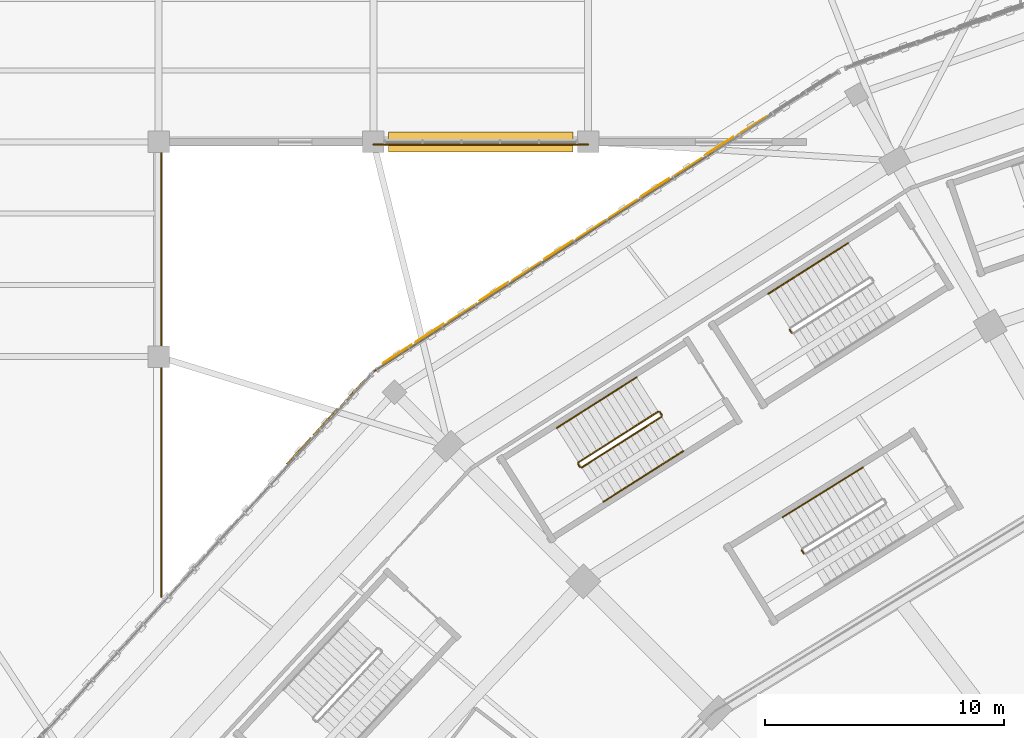
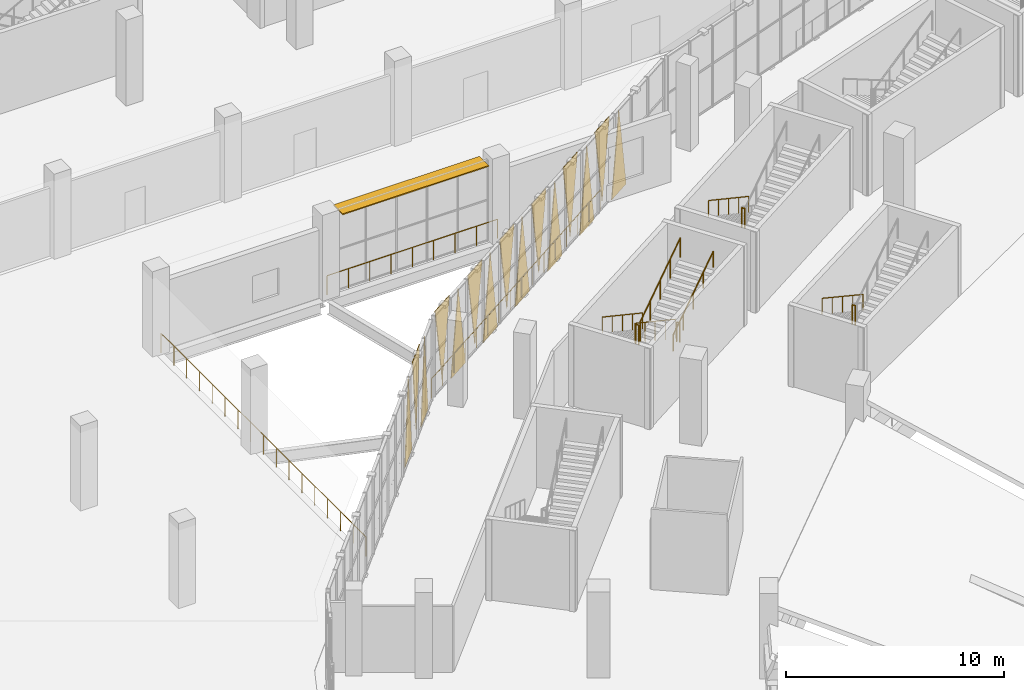
# One storey, part 161 of 183: 15 coverings, 13 railings, 1 shading device.
"""IFC4 building model written with IfcOpenShell, lengths in metres."""

from ifc_helpers import new_model, si_unit, direction, frame, origin, origin_2d, place, context, subcontext, project, spatial, polyline, rectangle, circle, outline, extrude, material, layer, layer_set, type_object, element, save


model = new_model("IFC4")

# Units and contexts
model_context = context("Model", 3, precision=1e-05, world=origin(), true_north=direction((0.0, 1.0)))
body_context = subcontext(model_context, "Body", "Model", "MODEL_VIEW")
ifc_project = project(units=[si_unit("LENGTHUNIT", "METRE"), si_unit("AREAUNIT", "SQUARE_METRE"), si_unit("VOLUMEUNIT", "CUBIC_METRE"), si_unit("PLANEANGLEUNIT", "RADIAN"), si_unit("MASSUNIT", "GRAM", prefix="KILO")], contexts=[model_context])

# Site, building, storey
site_placement = place(None, origin())
site = spatial("IfcSite", under=ifc_project, at=site_placement, CompositionType="ELEMENT")
building_placement = place(site_placement, origin())
building = spatial("IfcBuilding", under=site, at=building_placement, Name="Zevraka Park Crest Stadium", CompositionType="ELEMENT")
storey_placement = place(building_placement, frame((0.0, 0.0, 5.39990234375)))
storey = spatial("IfcBuildingStorey", under=building, at=storey_placement, Name="L01", CompositionType="ELEMENT", Elevation=5.39990234375)

# Coverings
ifc_material_1 = material(Name="Architectural golden-bronze perforated aluminium", Category="aluminium")
ifc_layer_1 = layer(ifc_material_1, 0.034912109375)
ifc_layer_set_1 = layer_set([ifc_layer_1], Name="Architectural golden-bronze perforated aluminium")
covering_type = type_object("IfcCoveringType", Name="CLD01", PredefinedType="CLADDING", material=ifc_layer_set_1)
covering_1_placement = place(storey_placement, frame((61.4580078125, 159.0791015625, -0.260009765625), z_axis=(-0.542557713864, 0.840018527724, 1.4397562e-05), x_axis=(-0.840018527811, -0.542557713921, 0.0)))
element("IfcCovering", 1, at=covering_1_placement, inside=storey, type_object=covering_type, Name="Triangular Golden-Bronze Perforated Cladding L01-08-3", PredefinedType="CLADDING", context=body_context, shape_type="SweptSolid", body=[
    extrude(outline(polyline([(0.0, 0.0), (1.4453387490028242, 1.6940658945086007e-21), (0.7225668331772165, 4.600097656726777), (0.0, 0.0)])), origin(), (0.0, 0.0, -1.0), 0.034912109375),
])
covering_2_placement = place(storey_placement, frame((58.89501953125, 157.424072265625, 4.5), z_axis=(0.542607308188, -0.839986492333, 4.2410038e-05), x_axis=(0.839986493089, 0.542607308676, 0.0)))
element("IfcCovering", 2, at=covering_2_placement, inside=storey, type_object=covering_type, Name="Triangular Golden-Bronze Perforated Cladding L01-08-4", PredefinedType="CLADDING", context=body_context, shape_type="SweptSolid", body=[
    extrude(outline(polyline([(0.0, 0.0), (1.446556463255764, 3.3881317890172014e-21), (0.722434363340672, -4.279785160098836), (0.0, 0.0)])), origin(), (0.0, 0.0, -1.0), 0.034912109375),
])
covering_3_placement = place(storey_placement, frame((58.760986328125, 157.337890625, -0.260009765625), z_axis=(-0.542992143946, 0.839737772846, 6.6851006e-05), x_axis=(-0.839737774722, -0.542992145159, 0.0)))
element("IfcCovering", 3, at=covering_3_placement, inside=storey, type_object=covering_type, Name="Triangular Golden-Bronze Perforated Cladding L01-08-5", PredefinedType="CLADDING", context=body_context, shape_type="SweptSolid", body=[
    extrude(outline(polyline([(0.0, 0.0), (1.4455312408705225, 0.0), (0.7229644700977951, 4.6000976665290505), (0.0, 0.0)])), origin(), (0.0, 0.0, -1.0), 0.034912109375),
])
covering_4_placement = place(storey_placement, frame((56.198974609375, 155.681884765625, 4.5), z_axis=(0.543034219185, -0.839710563435, 8.0313977e-05), x_axis=(0.839710566143, 0.543034220936, 0.0)))
element("IfcCovering", 4, at=covering_4_placement, inside=storey, type_object=covering_type, Name="Triangular Golden-Bronze Perforated Cladding L01-08-6", PredefinedType="CLADDING", context=body_context, shape_type="SweptSolid", body=[
    extrude(outline(polyline([(0.0, 0.0), (1.445868823232424, 0.0), (0.7225667544568017, -4.2797851700530245), (0.0, 0.0)])), origin(), (0.0, 0.0, -1.0), 0.034912109375),
])
covering_5_placement = place(storey_placement, frame((56.06396484375, 155.595947265625, -0.260009765625), z_axis=(-0.542992141789, 0.83973776951, 0.000111418343), x_axis=(-0.839737774722, -0.542992145159, 0.0)))
element("IfcCovering", 5, at=covering_5_placement, inside=storey, type_object=covering_type, Name="Triangular Golden-Bronze Perforated Cladding L01-08-7", PredefinedType="CLADDING", context=body_context, shape_type="SweptSolid", body=[
    extrude(outline(polyline([(0.0, 0.0), (1.4455312408705225, 1.3552527156068805e-20), (0.7230970365394844, 4.600097684802916), (0.0, 0.0)])), origin(), (0.0, 0.0, -1.0), 0.034912109375),
])
covering_6_placement = place(storey_placement, frame((53.501953125, 153.93994140625, 4.5), z_axis=(-0.543034217573, 0.839710560943, 0.000111291399), x_axis=(0.839710566143, 0.543034220936, 0.0)))
element("IfcCovering", 6, at=covering_6_placement, inside=storey, type_object=covering_type, Name="Triangular Golden-Bronze Perforated Cladding L01-08-8", PredefinedType="CLADDING", context=body_context, shape_type="SweptSolid", body=[
    extrude(outline(polyline([(0.0, 0.0), (1.445868823232424, 0.0), (0.7230970613131847, 4.27978518275423), (0.0, 0.0)])), origin(), (0.0, 0.0, -1.0), 0.034912109375),
])
covering_7_placement = place(storey_placement, frame((53.366943359375, 153.85400390625, -0.260009765625), z_axis=(0.542992143946, -0.839737772846, 6.6851006e-05), x_axis=(-0.839737774722, -0.542992145159, 0.0)))
element("IfcCovering", 7, at=covering_7_placement, inside=storey, type_object=covering_type, Name="Triangular Golden-Bronze Perforated Cladding L01-08-9", PredefinedType="CLADDING", context=body_context, shape_type="SweptSolid", body=[
    extrude(outline(polyline([(0.0, 0.0), (1.4455312408705225, 0.0), (0.7225667707727274, -4.6000976665290505), (0.0, 0.0)])), origin(), (0.0, 0.0, -1.0), 0.034912109375),
])
covering_8_placement = place(storey_placement, frame((50.804931640625, 152.197998046875, 4.5), z_axis=(-0.54291514037, 0.839787556161, 0.000104279026), x_axis=(0.839787560727, 0.542915143322, 0.0)))
element("IfcCovering", 8, at=covering_8_placement, inside=storey, type_object=covering_type, Name="Triangular Golden-Bronze Perforated Cladding L01-08-10", PredefinedType="CLADDING", context=body_context, shape_type="SweptSolid", body=[
    extrude(outline(polyline([(0.0, 0.0), (1.4457362610535034, 1.3552527156068805e-20), (0.7233020127627544, 4.279785179519439), (0.0, 0.0)])), origin(), (0.0, 0.0, -1.0), 0.034912109375),
])
covering_9_placement = place(storey_placement, frame((50.6708984375, 152.112060546875, -0.260009765625), z_axis=(0.54280331046, -0.839859848522, 3.1531317e-05), x_axis=(-0.83985984894, -0.54280331073, 0.0)))
element("IfcCovering", 9, at=covering_9_placement, inside=storey, type_object=covering_type, Name="Triangular Golden-Bronze Perforated Cladding L01-08-11", PredefinedType="CLADDING", context=body_context, shape_type="SweptSolid", body=[
    extrude(outline(polyline([(0.0, 0.0), (1.4464839003003545, -3.3881317890172014e-21), (0.7225668216542449, -4.600097658536764), (0.0, 0.0)])), origin(), (0.0, 0.0, -1.0), 0.034912109375),
])
covering_10_placement = place(storey_placement, frame((48.10791015625, 150.45703125, 4.5), z_axis=(-0.542438505233, 0.840095511218, 8.489932e-06), x_axis=(0.840095511248, 0.542438505252, 0.0)))
element("IfcCovering", 10, at=covering_10_placement, inside=storey, type_object=covering_type, Name="Triangular Golden-Bronze Perforated Cladding L01-08-12", PredefinedType="CLADDING", context=body_context, shape_type="SweptSolid", body=[
    extrude(outline(polyline([(0.0, 0.0), (1.4452063031746218, 8.470329472543003e-22), (0.722771917946747, 4.279785156404241), (0.0, 0.0)])), origin(), (0.0, 0.0, -1.0), 0.034912109375),
])
covering_11_placement = place(storey_placement, frame((47.97412109375, 150.3701171875, -0.260009765625), z_axis=(0.542557713864, -0.840018527724, 1.4397562e-05), x_axis=(-0.840018527811, -0.542557713921, 0.0)))
element("IfcCovering", 11, at=covering_11_placement, inside=storey, type_object=covering_type, Name="Triangular Golden-Bronze Perforated Cladding L01-08-13", PredefinedType="CLADDING", context=body_context, shape_type="SweptSolid", body=[
    extrude(outline(polyline([(0.0, 0.0), (1.4453387490028242, 1.6940658945086007e-21), (0.7227719158256077, -4.600097656726777), (0.0, 0.0)])), origin(), (0.0, 0.0, -1.0), 0.034912109375),
])
covering_12_placement = place(storey_placement, frame((45.410888671875, 148.715087890625, 4.5), z_axis=(0.54243850483, -0.840095510595, 3.9433372e-05), x_axis=(0.840095511248, 0.542438505252, 0.0)))
element("IfcCovering", 12, at=covering_12_placement, inside=storey, type_object=covering_type, Name="Triangular Golden-Bronze Perforated Cladding L01-08-14", PredefinedType="CLADDING", context=body_context, shape_type="SweptSolid", body=[
    extrude(outline(polyline([(0.0, 0.0), (1.4452063031746218, 0.0), (0.7226394866710507, -4.279785159577513), (0.0, 0.0)])), origin(), (0.0, 0.0, -1.0), 0.034912109375),
])
covering_13_placement = place(storey_placement, frame((44.60888671875, 148.034912109375, -0.260009765625), z_axis=(-0.739183652813, 0.673503917653, 1.7872411e-05), x_axis=(-0.673503917761, -0.739183652931, 0.0)))
element("IfcCovering", 13, at=covering_13_placement, inside=storey, type_object=covering_type, Name="Triangular Golden-Bronze Perforated Cladding L01-09-1", PredefinedType="CLADDING", context=body_context, shape_type="SweptSolid", body=[
    extrude(outline(polyline([(0.0, 0.0), (1.4905722498806995, 0.0), (0.745376357319858, 4.600097656984689), (0.0, 0.0)])), origin(), (0.0, 0.0, -1.0), 0.034912109375),
])
covering_14_placement = place(storey_placement, frame((42.491943359375, 145.712890625, 4.5), z_axis=(0.738850370592, -0.673869511681, 0.00010536942), x_axis=(0.673869515422, 0.738850374694, 0.0)))
element("IfcCovering", 14, at=covering_14_placement, inside=storey, type_object=covering_type, Name="Triangular Golden-Bronze Perforated Cladding L01-09-2", PredefinedType="CLADDING", context=body_context, shape_type="SweptSolid", body=[
    extrude(outline(polyline([(0.0, 0.0), (1.4915750454979064, 1.3552527156068805e-20), (0.746198820060612, -4.279785180008618), (0.0, 0.0)])), origin(), (0.0, 0.0, -1.0), 0.034912109375),
])
covering_15_placement = place(storey_placement, frame((42.385009765625, 145.594970703125, -0.260009765625), z_axis=(0.738850373416, -0.673869514256, 5.8819423e-05), x_axis=(-0.673869515422, -0.738850374694, 0.0)))
element("IfcCovering", 15, at=covering_15_placement, inside=storey, type_object=covering_type, Name="Triangular Golden-Bronze Perforated Cladding L01-09-3", PredefinedType="CLADDING", context=body_context, shape_type="SweptSolid", body=[
    extrude(outline(polyline([(0.0, 0.0), (1.4915750454979064, 0.0), (0.7460343011359485, -4.600097664207535), (0.0, 0.0)])), origin(), (0.0, 0.0, -1.0), 0.034912109375),
])

# Railings
ifc_material_2 = material(Name="Galvanised and bronze-finished steel balustrade", Category="steel")
railing_type_1 = type_object("IfcRailingType", Name="GR01", PredefinedType="GUARDRAIL", material=ifc_material_2)
railing_1_placement = place(storey_placement, frame((45.011962890625, 148.373046875, 0.0)))
element("IfcRailing", 16, at=railing_1_placement, inside=storey, type_object=railing_type_1, Name="Deck Edge Protection Guardrail GR01 L01-107", PredefinedType="GUARDRAIL", context=body_context, shape_type="SweptSolid", body=[
    extrude(circle(Radius=0.02392578125, at=origin_2d()), frame((0.0, 0.0, 1.076171875), z_axis=(0.839995749975, 0.542592978229, 0.0), x_axis=(-0.542592978229, 0.839995749975, 0.0)), (0.0, 0.0, 1.0), 16.9501953125),
    extrude(circle(Radius=0.02099609375, at=origin_2d()), origin(), (0.0, 0.0, 1.0), 1.052001953125),
    extrude(circle(Radius=0.02099609375, at=origin_2d()), frame((0.94921875, 0.613037109375, 0.0)), (0.0, 0.0, 1.0), 1.052001953125),
    extrude(circle(Radius=0.02099609375, at=origin_2d()), frame((1.8984375, 1.226318359375, 0.0)), (0.0, 0.0, 1.0), 1.052001953125),
    extrude(circle(Radius=0.02099609375, at=origin_2d()), frame((2.84765625, 1.83935546875, 0.0)), (0.0, 0.0, 1.0), 1.052001953125),
    extrude(circle(Radius=0.02099609375, at=origin_2d()), frame((3.796875, 2.45263671875, 0.0)), (0.0, 0.0, 1.0), 1.052001953125),
    extrude(circle(Radius=0.02099609375, at=origin_2d()), frame((4.74609375, 3.065673828125, 0.0)), (0.0, 0.0, 1.0), 1.052001953125),
    extrude(circle(Radius=0.02099609375, at=origin_2d()), frame((5.6953125, 3.6787109375, 0.0)), (0.0, 0.0, 1.0), 1.052001953125),
    extrude(circle(Radius=0.02099609375, at=origin_2d()), frame((6.64453125, 4.2919921875, 0.0)), (0.0, 0.0, 1.0), 1.052001953125),
    extrude(circle(Radius=0.02099609375, at=origin_2d()), frame((7.593505859375, 4.905029296875, 0.0)), (0.0, 0.0, 1.0), 1.052001953125),
    extrude(circle(Radius=0.02099609375, at=origin_2d()), frame((8.542724609375, 5.518310546875, 0.0)), (0.0, 0.0, 1.0), 1.052001953125),
    extrude(circle(Radius=0.02099609375, at=origin_2d()), frame((9.491943359375, 6.13134765625, 0.0)), (0.0, 0.0, 1.0), 1.052001953125),
    extrude(circle(Radius=0.02099609375, at=origin_2d()), frame((10.441162109375, 6.744384765625, 0.0)), (0.0, 0.0, 1.0), 1.052001953125),
    extrude(circle(Radius=0.02099609375, at=origin_2d()), frame((11.390380859375, 7.357666015625, 0.0)), (0.0, 0.0, 1.0), 1.052001953125),
    extrude(circle(Radius=0.02099609375, at=origin_2d()), frame((12.339599609375, 7.970703125, 0.0)), (0.0, 0.0, 1.0), 1.052001953125),
    extrude(circle(Radius=0.02099609375, at=origin_2d()), frame((13.288818359375, 8.583984375, 0.0)), (0.0, 0.0, 1.0), 1.052001953125),
    extrude(circle(Radius=0.02099609375, at=origin_2d()), frame((14.238037109375, 9.197021484375, 0.0)), (0.0, 0.0, 1.0), 1.052001953125),
])
railing_2_placement = place(storey_placement, frame((54.009033203125, 157.89501953125, 0.0)))
element("IfcRailing", 17, at=railing_2_placement, inside=storey, type_object=railing_type_1, Name="Deck Edge Protection Guardrail GR01 L01-108", PredefinedType="GUARDRAIL", context=body_context, shape_type="SweptSolid", body=[
    extrude(circle(Radius=0.02392578125, at=origin_2d()), frame((0.0, 0.0, 1.076171875), z_axis=(-1.0, 0.0, 0.0), x_axis=(0.0, -1.0, 0.0)), (0.0, 0.0, 1.0), 9.01806640625),
    extrude(circle(Radius=0.02099609375, at=origin_2d()), origin(), (0.0, 0.0, 1.0), 1.052001953125),
    extrude(circle(Radius=0.02099609375, at=origin_2d()), frame((-1.127197265625, 0.0, 0.0)), (0.0, 0.0, 1.0), 1.052001953125),
    extrude(circle(Radius=0.02099609375, at=origin_2d()), frame((-2.25439453125, 0.0, 0.0)), (0.0, 0.0, 1.0), 1.052001953125),
    extrude(circle(Radius=0.02099609375, at=origin_2d()), frame((-3.3818359375, 0.0, 0.0)), (0.0, 0.0, 1.0), 1.052001953125),
    extrude(circle(Radius=0.02099609375, at=origin_2d()), frame((-4.509033203125, 0.0, 0.0)), (0.0, 0.0, 1.0), 1.052001953125),
    extrude(circle(Radius=0.02099609375, at=origin_2d()), frame((-5.63623046875, 0.0, 0.0)), (0.0, 0.0, 1.0), 1.052001953125),
    extrude(circle(Radius=0.02099609375, at=origin_2d()), frame((-6.763671875, 0.0, 0.0)), (0.0, 0.0, 1.0), 1.052001953125),
    extrude(circle(Radius=0.02099609375, at=origin_2d()), frame((-7.890869140625, 0.0, 0.0)), (0.0, 0.0, 1.0), 1.052001953125),
    extrude(circle(Radius=0.02099609375, at=origin_2d()), frame((-9.01806640625, 0.0, 0.0)), (0.0, 0.0, 1.0), 1.052001953125),
])
railing_3_placement = place(storey_placement, frame((36.10498046875, 157.714111328125, 0.0)))
element("IfcRailing", 18, at=railing_3_placement, inside=storey, type_object=railing_type_1, Name="Deck Edge Protection Guardrail GR01 L01-109", PredefinedType="GUARDRAIL", context=body_context, shape_type="SweptSolid", body=[
    extrude(circle(Radius=0.02392578125, at=origin_2d()), frame((0.0, 0.0, 1.076171875), z_axis=(0.0, -1.0, 0.0), x_axis=(1.0, 0.0, 0.0)), (0.0, 0.0, 1.0), 18.776123046875),
    extrude(circle(Radius=0.02099609375, at=origin_2d()), origin(), (0.0, 0.0, 1.0), 1.052001953125),
    extrude(circle(Radius=0.02099609375, at=origin_2d()), frame((0.0, -1.173583984375, 0.0)), (0.0, 0.0, 1.0), 1.052001953125),
    extrude(circle(Radius=0.02099609375, at=origin_2d()), frame((0.0, -2.346923828125, 0.0)), (0.0, 0.0, 1.0), 1.052001953125),
    extrude(circle(Radius=0.02099609375, at=origin_2d()), frame((0.0, -3.5205078125, 0.0)), (0.0, 0.0, 1.0), 1.052001953125),
    extrude(circle(Radius=0.02099609375, at=origin_2d()), frame((0.0, -4.694091796875, 0.0)), (0.0, 0.0, 1.0), 1.052001953125),
    extrude(circle(Radius=0.02099609375, at=origin_2d()), frame((0.0, -5.867431640625, 0.0)), (0.0, 0.0, 1.0), 1.052001953125),
    extrude(circle(Radius=0.02099609375, at=origin_2d()), frame((0.0, -7.041015625, 0.0)), (0.0, 0.0, 1.0), 1.052001953125),
    extrude(circle(Radius=0.02099609375, at=origin_2d()), frame((0.0, -8.214599609375, 0.0)), (0.0, 0.0, 1.0), 1.052001953125),
    extrude(circle(Radius=0.02099609375, at=origin_2d()), frame((0.0, -9.38818359375, 0.0)), (0.0, 0.0, 1.0), 1.052001953125),
    extrude(circle(Radius=0.02099609375, at=origin_2d()), frame((0.0, -10.5615234375, 0.0)), (0.0, 0.0, 1.0), 1.052001953125),
    extrude(circle(Radius=0.02099609375, at=origin_2d()), frame((0.0, -11.735107421875, 0.0)), (0.0, 0.0, 1.0), 1.052001953125),
    extrude(circle(Radius=0.02099609375, at=origin_2d()), frame((0.0, -12.90869140625, 0.0)), (0.0, 0.0, 1.0), 1.052001953125),
    extrude(circle(Radius=0.02099609375, at=origin_2d()), frame((0.0, -14.08203125, 0.0)), (0.0, 0.0, 1.0), 1.052001953125),
    extrude(circle(Radius=0.02099609375, at=origin_2d()), frame((0.0, -15.255615234375, 0.0)), (0.0, 0.0, 1.0), 1.052001953125),
    extrude(circle(Radius=0.02099609375, at=origin_2d()), frame((0.0, -16.42919921875, 0.0)), (0.0, 0.0, 1.0), 1.052001953125),
    extrude(circle(Radius=0.02099609375, at=origin_2d()), frame((0.0, -17.6025390625, 0.0)), (0.0, 0.0, 1.0), 1.052001953125),
    extrude(circle(Radius=0.02099609375, at=origin_2d()), frame((0.0, -18.776123046875, 0.0)), (0.0, 0.0, 1.0), 1.052001953125),
])
ifc_material_3 = material(Name="Powder-coated tubular steel stairwell guard", Category="steel")
railing_type_2 = type_object("IfcRailingType", Name="GR03", PredefinedType="GUARDRAIL", material=ifc_material_3)
railing_4_placement = place(storey_placement, frame((62.442138671875, 150.1318359375, 2.400146484375)))
element("IfcRailing", 19, at=railing_4_placement, inside=storey, type_object=railing_type_2, Name="L01 ST09 stair guard 2", PredefinedType="GUARDRAIL", context=body_context, shape_type="SweptSolid", body=[
    extrude(circle(Radius=0.02392578125, at=origin_2d()), frame((0.0, 0.0, 1.076171875), z_axis=(0.535887230789, -0.844289568736, 0.0), x_axis=(0.844289568736, 0.535887230789, 0.0)), (0.0, 0.0, 1.0), 0.159912109375),
    extrude(circle(Radius=0.02099609375, at=origin_2d()), origin(), (0.0, 0.0, 1.0), 1.052001953125),
    extrude(circle(Radius=0.02099609375, at=origin_2d()), frame((0.085693359375, -0.135009765625, 0.0)), (0.0, 0.0, 1.0), 1.052001953125),
])
railing_5_placement = place(storey_placement, frame((56.939453125, 146.699951171875, 0.171630859375)))
element("IfcRailing", 20, at=railing_5_placement, inside=storey, type_object=railing_type_2, Name="L01 ST28 stair guard 1", PredefinedType="GUARDRAIL", context=body_context, shape_type="SweptSolid", body=[
    extrude(circle(Radius=0.02392578125, at=origin_2d()), frame((0.0, 0.0, 1.076171875), z_axis=(-0.736092217986, -0.467002282249, 0.489976647398), x_axis=(0.535715535947, -0.844398522349, 0.0)), (0.0, 0.0, 1.0), 4.548095703125),
    extrude(circle(Radius=0.02099609375, at=origin_2d()), origin(), (0.0, 0.0, 1.0), 1.052001953125),
    extrude(circle(Radius=0.02099609375, at=origin_2d()), frame((-0.8369140625, -0.531005859375, 0.55712890625)), (0.0, 0.0, 1.0), 1.052001953125),
    extrude(circle(Radius=0.02099609375, at=origin_2d()), frame((-1.673828125, -1.06201171875, 1.1142578125)), (0.0, 0.0, 1.0), 1.052001953125),
    extrude(circle(Radius=0.02099609375, at=origin_2d()), frame((-2.510986328125, -1.593017578125, 1.67138671875)), (0.0, 0.0, 1.0), 1.052001953125),
    extrude(circle(Radius=0.02099609375, at=origin_2d()), frame((-3.347900390625, -2.1240234375, 2.228515625)), (0.0, 0.0, 1.0), 1.052001953125),
])
railing_6_placement = place(storey_placement, frame((53.575927734375, 144.5068359375, 2.400146484375)))
element("IfcRailing", 21, at=railing_6_placement, inside=storey, type_object=railing_type_2, Name="L01 ST28 stair guard 2", PredefinedType="GUARDRAIL", context=body_context, shape_type="SweptSolid", body=[
    extrude(circle(Radius=0.02392578125, at=origin_2d()), frame((0.0, 0.0, 1.076171875), z_axis=(0.536974197011, -0.843598667463, 0.0), x_axis=(0.843598667463, 0.536974197011, 0.0)), (0.0, 0.0, 1.0), 0.16015625),
    extrude(circle(Radius=0.02099609375, at=origin_2d()), origin(), (0.0, 0.0, 1.0), 1.052001953125),
    extrude(circle(Radius=0.02099609375, at=origin_2d()), frame((0.0859375, -0.135009765625, 0.0)), (0.0, 0.0, 1.0), 1.052001953125),
])
railing_7_placement = place(storey_placement, frame((53.730712890625, 144.3564453125, 2.571533203125)))
element("IfcRailing", 22, at=railing_7_placement, inside=storey, type_object=railing_type_2, Name="L01 ST28 stair guard 3", PredefinedType="GUARDRAIL", context=body_context, shape_type="SweptSolid", body=[
    extrude(circle(Radius=0.02392578125, at=origin_2d()), frame((0.0, 0.0, 1.076171875), z_axis=(0.736116810277, 0.466983830349, 0.48995728775), x_axis=(-0.535687682518, 0.84441619288, 0.0)), (0.0, 0.0, 1.0), 4.54833984375),
    extrude(circle(Radius=0.02099609375, at=origin_2d()), origin(), (0.0, 0.0, 1.0), 1.052001953125),
    extrude(circle(Radius=0.02099609375, at=origin_2d()), frame((0.8369140625, 0.531005859375, 0.55712890625)), (0.0, 0.0, 1.0), 1.052001953125),
    extrude(circle(Radius=0.02099609375, at=origin_2d()), frame((1.674072265625, 1.06201171875, 1.1142578125)), (0.0, 0.0, 1.0), 1.052001953125),
    extrude(circle(Radius=0.02099609375, at=origin_2d()), frame((2.51123046875, 1.593017578125, 1.67138671875)), (0.0, 0.0, 1.0), 1.052001953125),
    extrude(circle(Radius=0.02099609375, at=origin_2d()), frame((3.34814453125, 2.1240234375, 2.228515625)), (0.0, 0.0, 1.0), 1.052001953125),
])
railing_8_placement = place(storey_placement, frame((57.008544921875, 146.6845703125, 0.0)))
element("IfcRailing", 23, at=railing_8_placement, inside=storey, type_object=railing_type_2, Name="L01 ST28 stair guard 4", PredefinedType="GUARDRAIL", context=body_context, shape_type="SweptSolid", body=[
    extrude(circle(Radius=0.02392578125, at=origin_2d()), frame((0.0, 0.0, 1.076171875), z_axis=(0.535887230789, -0.844289568736, 0.0), x_axis=(0.844289568736, 0.535887230789, 0.0)), (0.0, 0.0, 1.0), 0.159912109375),
    extrude(circle(Radius=0.02099609375, at=origin_2d()), origin(), (0.0, 0.0, 1.0), 1.052001953125),
    extrude(circle(Radius=0.02099609375, at=origin_2d()), frame((0.085693359375, -0.135009765625, 0.0)), (0.0, 0.0, 1.0), 1.052001953125),
])
railing_9_placement = place(storey_placement, frame((62.94873046875, 140.88818359375, 2.400146484375)))
element("IfcRailing", 24, at=railing_9_placement, inside=storey, type_object=railing_type_2, Name="L01 ST37 stair guard 2", PredefinedType="GUARDRAIL", context=body_context, shape_type="SweptSolid", body=[
    extrude(circle(Radius=0.02392578125, at=origin_2d()), frame((0.0, 0.0, 1.076171875), z_axis=(0.527666528588, -0.849451608161, 0.0), x_axis=(0.849451608161, 0.527666528588, 0.0)), (0.0, 0.0, 1.0), 0.16015625),
    extrude(circle(Radius=0.02099609375, at=origin_2d()), origin(), (0.0, 0.0, 1.0), 1.052001953125),
    extrude(circle(Radius=0.02099609375, at=origin_2d()), frame((0.08447265625, -0.135986328125, 0.0)), (0.0, 0.0, 1.0), 1.052001953125),
])
ifc_material_4 = material(Name="Brushed stainless steel continuous handrail", Category="steel")
railing_type_3 = type_object("IfcRailingType", Name="HR01", PredefinedType="HANDRAIL", material=ifc_material_4)
railing_10_placement = place(storey_placement, frame((64.894775390625, 153.760498046875, 0.171630859375)))
element("IfcRailing", 25, at=railing_10_placement, inside=storey, type_object=railing_type_3, Name="L01 ST09 stair handrail 1", PredefinedType="HANDRAIL", context=body_context, shape_type="SweptSolid", body=[
    extrude(circle(Radius=0.02392578125, at=origin_2d()), frame((0.0, 0.0, 0.8759765625), z_axis=(-0.736092217986, -0.467002282249, 0.489976647398), x_axis=(0.535715535947, -0.844398522349, 0.0)), (0.0, 0.0, 1.0), 4.548095703125),
    extrude(circle(Radius=0.02099609375, at=origin_2d()), origin(), (0.0, 0.0, 1.0), 0.851806640625),
    extrude(circle(Radius=0.02099609375, at=origin_2d()), frame((-0.8369140625, -0.531005859375, 0.55712890625)), (0.0, 0.0, 1.0), 0.851806640625),
    extrude(circle(Radius=0.02099609375, at=origin_2d()), frame((-1.673828125, -1.06201171875, 1.1142578125)), (0.0, 0.0, 1.0), 0.851806640625),
    extrude(circle(Radius=0.02099609375, at=origin_2d()), frame((-2.510986328125, -1.593017578125, 1.67138671875)), (0.0, 0.0, 1.0), 0.851806640625),
    extrude(circle(Radius=0.02099609375, at=origin_2d()), frame((-3.347900390625, -2.1240234375, 2.228515625)), (0.0, 0.0, 1.0), 0.851806640625),
])
railing_11_placement = place(storey_placement, frame((56.02880859375, 148.135498046875, 0.171630859375)))
element("IfcRailing", 26, at=railing_11_placement, inside=storey, type_object=railing_type_3, Name="L01 ST28 stair handrail 1", PredefinedType="HANDRAIL", context=body_context, shape_type="SweptSolid", body=[
    extrude(circle(Radius=0.02392578125, at=origin_2d()), frame((0.0, 0.0, 0.8759765625), z_axis=(-0.736116810277, -0.466983830349, 0.48995728775), x_axis=(0.535687682518, -0.84441619288, 0.0)), (0.0, 0.0, 1.0), 4.54833984375),
    extrude(circle(Radius=0.02099609375, at=origin_2d()), origin(), (0.0, 0.0, 1.0), 0.851806640625),
    extrude(circle(Radius=0.02099609375, at=origin_2d()), frame((-0.8369140625, -0.531005859375, 0.55712890625)), (0.0, 0.0, 1.0), 0.851806640625),
    extrude(circle(Radius=0.02099609375, at=origin_2d()), frame((-1.674072265625, -1.06201171875, 1.1142578125)), (0.0, 0.0, 1.0), 0.851806640625),
    extrude(circle(Radius=0.02099609375, at=origin_2d()), frame((-2.51123046875, -1.593017578125, 1.67138671875)), (0.0, 0.0, 1.0), 0.851806640625),
    extrude(circle(Radius=0.02099609375, at=origin_2d()), frame((-3.34814453125, -2.1240234375, 2.228515625)), (0.0, 0.0, 1.0), 0.851806640625),
])
railing_12_placement = place(storey_placement, frame((54.6416015625, 142.9208984375, 2.571533203125)))
element("IfcRailing", 27, at=railing_12_placement, inside=storey, type_object=railing_type_3, Name="L01 ST28 stair handrail 2", PredefinedType="HANDRAIL", context=body_context, shape_type="SweptSolid", body=[
    extrude(circle(Radius=0.02392578125, at=origin_2d()), frame((0.0, 0.0, 0.8759765625), z_axis=(0.736092217986, 0.467002282249, 0.489976647398), x_axis=(-0.535715535947, 0.844398522349, 0.0)), (0.0, 0.0, 1.0), 4.548095703125),
    extrude(circle(Radius=0.02099609375, at=origin_2d()), origin(), (0.0, 0.0, 1.0), 0.851806640625),
    extrude(circle(Radius=0.02099609375, at=origin_2d()), frame((0.8369140625, 0.531005859375, 0.55712890625)), (0.0, 0.0, 1.0), 0.851806640625),
    extrude(circle(Radius=0.02099609375, at=origin_2d()), frame((1.673828125, 1.06201171875, 1.1142578125)), (0.0, 0.0, 1.0), 0.851806640625),
    extrude(circle(Radius=0.02099609375, at=origin_2d()), frame((2.510986328125, 1.593017578125, 1.67138671875)), (0.0, 0.0, 1.0), 0.851806640625),
    extrude(circle(Radius=0.02099609375, at=origin_2d()), frame((3.347900390625, 2.1240234375, 2.228515625)), (0.0, 0.0, 1.0), 0.851806640625),
])
railing_13_placement = place(storey_placement, frame((65.5166015625, 144.36474609375, 0.171630859375)))
element("IfcRailing", 28, at=railing_13_placement, inside=storey, type_object=railing_type_3, Name="L01 ST37 stair handrail 1", PredefinedType="HANDRAIL", context=body_context, shape_type="SweptSolid", body=[
    extrude(circle(Radius=0.02392578125, at=origin_2d()), frame((0.0, 0.0, 0.8759765625), z_axis=(-0.740713445492, -0.459671735304, 0.489944371772), x_axis=(0.527295422519, -0.849682021341, 0.0)), (0.0, 0.0, 1.0), 4.548583984375),
    extrude(circle(Radius=0.02099609375, at=origin_2d()), origin(), (0.0, 0.0, 1.0), 0.851806640625),
    extrude(circle(Radius=0.02099609375, at=origin_2d()), frame((-0.84228515625, -0.522705078125, 0.55712890625)), (0.0, 0.0, 1.0), 0.851806640625),
    extrude(circle(Radius=0.02099609375, at=origin_2d()), frame((-1.6845703125, -1.04541015625, 1.1142578125)), (0.0, 0.0, 1.0), 0.851806640625),
    extrude(circle(Radius=0.02099609375, at=origin_2d()), frame((-2.52685546875, -1.568115234375, 1.67138671875)), (0.0, 0.0, 1.0), 0.851806640625),
    extrude(circle(Radius=0.02099609375, at=origin_2d()), frame((-3.369140625, -2.0908203125, 2.228515625)), (0.0, 0.0, 1.0), 0.851806640625),
])

# Shading device
ifc_material_5 = material(Name="Architectural golden-bronze anodised bronze", Category="aluminium")
ifc_layer_2 = layer(ifc_material_5, 0.06005859375)
ifc_layer_set_2 = layer_set([ifc_layer_2], Name="Architectural golden-bronze anodised bronze")
shading_device_type = type_object("IfcShadingDeviceType", Name="SHD01", PredefinedType="USERDEFINED", material=ifc_layer_set_2)
shading_device_placement = place(storey_placement, frame((49.5, 158.0, 4.440185546875), z_axis=(0.0, 0.0, 1.0), x_axis=(-1.0, 0.0, 0.0)))
element("IfcShadingDevice", 29, at=shading_device_placement, inside=storey, type_object=shading_device_type, Name="Wing Bronze Solar Screen SHD01 L01-NW-VER1-2", ObjectType="SOLAR SCREEN", PredefinedType="USERDEFINED", context=body_context, shape_type="SweptSolid", body=[
    extrude(rectangle(XDim=7.719970703125, YDim=0.85009765625, at=origin_2d()), origin(), (0.0, 0.0, 1.0), 0.06005859375),
])

save(model, "model.ifc")
